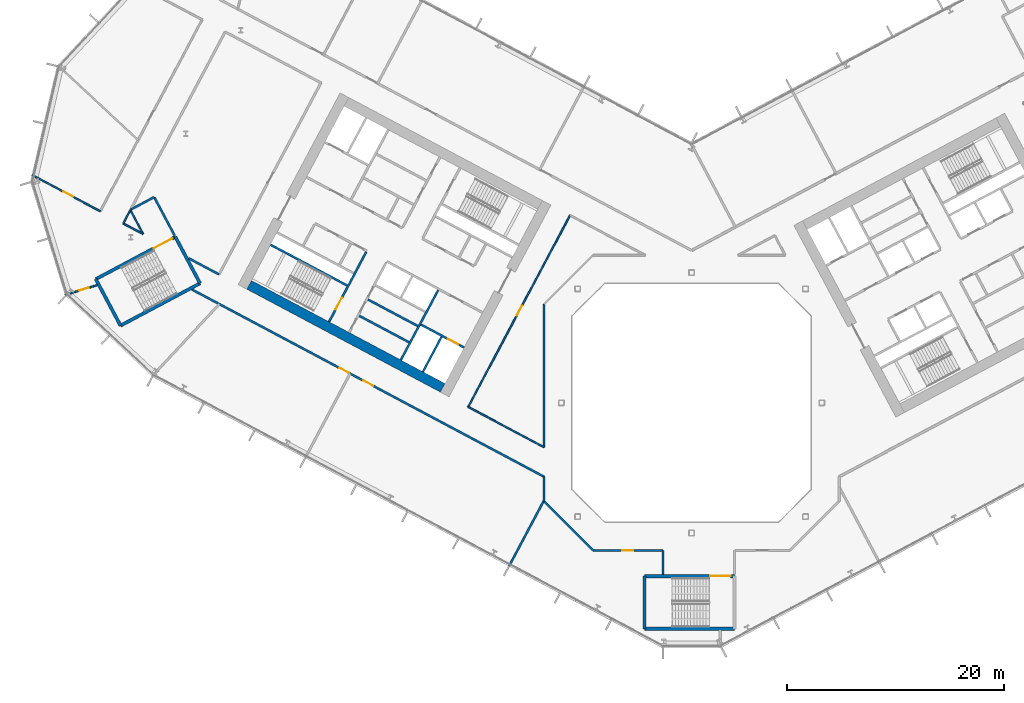
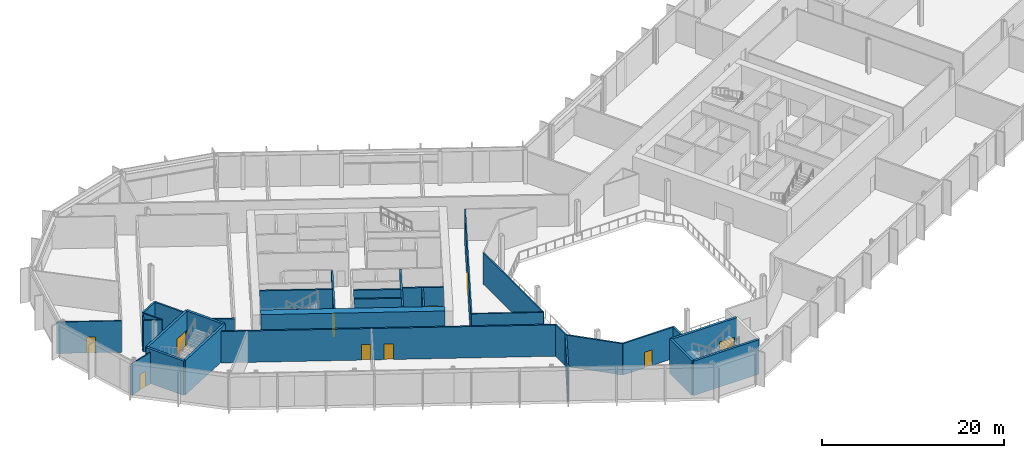
# One storey, part 14 of 32: 32 walls, 10 doors, 10 openings.
"""IFC4 building model written with IfcOpenShell, lengths in metres."""

from ifc_helpers import new_model, si_unit, direction, frame, frame_2d, origin, place, context, subcontext, project, spatial, rectangle, extrude, material, layer, layer_set, type_object, element, fill, save


model = new_model("IFC4")

# Units and contexts
model_context = context("Model", 3, precision=1e-05, world=origin(), true_north=direction((0.0, 1.0)))
body_context = subcontext(model_context, "Body", "Model", "MODEL_VIEW")
ifc_project = project(units=[si_unit("LENGTHUNIT", "METRE"), si_unit("AREAUNIT", "SQUARE_METRE"), si_unit("VOLUMEUNIT", "CUBIC_METRE"), si_unit("PLANEANGLEUNIT", "RADIAN"), si_unit("MASSUNIT", "GRAM", prefix="KILO")], contexts=[model_context])

# Site, building, storey
site_placement = place(None, origin())
site = spatial("IfcSite", under=ifc_project, at=site_placement, CompositionType="ELEMENT")
building_placement = place(site_placement, origin())
building = spatial("IfcBuilding", under=site, at=building_placement, Name="Cormorant Relay Tower", CompositionType="ELEMENT")
storey_placement = place(building_placement, frame((0.0, 0.0, 66.199951171875)))
storey = spatial("IfcBuildingStorey", under=building, at=storey_placement, Name="L12", CompositionType="ELEMENT", Elevation=66.199951171875)

# Walls
ifc_material_1 = material(Name="Concrete 40 MPa", Category="concrete")
ifc_layer_1 = layer(ifc_material_1, 0.199951171875)
ifc_layer_set_1 = layer_set([ifc_layer_1], Name="Core internal wall 200")
wall_type_1 = type_object("IfcWallType", Name="Core internal wall 200", PredefinedType="SOLIDWALL", material=ifc_layer_set_1)
for number, where, z_axis, x_axis, name in (
    (1, (-25.232421875, 7.073974609375, 0.0), (0.0, 0.0, 1.0), (-0.882953967957, 0.469459572775, 0.0), "L12 core A shaft and room wall"),
    (2, (-26.030517578125, 5.572998046875, 0.0), (0.0, 0.0, 1.0), (-0.882953967957, 0.469459572775, 0.0), "L12 core A shaft and room wall"),
):
    element("IfcWall", number, at=place(storey_placement, frame(where, z_axis=z_axis, x_axis=x_axis)), inside=storey, type_object=wall_type_1, Name=name, PredefinedType="SOLIDWALL", context=body_context, shape_type="SweptSolid", body=[
        extrude(rectangle(XDim=5.199951171875, YDim=0.199951171875, at=frame_2d((2.60009765625, 0.0))), origin(), (0.0, 0.0, 1.0), 4.60009765625),
    ])
ifc_material_2 = material(Name="Concrete 50 MPa", Category="concrete")
ifc_layer_2 = layer(ifc_material_2, 0.199951171875)
ifc_layer_set_2 = layer_set([ifc_layer_2], Name="Core shaft wall 200")
wall_type_2 = type_object("IfcWallType", Name="Core shaft wall 200", PredefinedType="SHEAR", material=ifc_layer_set_2)
wall_1_placement = place(storey_placement, frame((-23.04296875, 6.07958984375, 0.0), z_axis=(0.0, 0.0, 1.0), x_axis=(-0.469494272526, -0.882935517501, 0.0)))
element("IfcWall", 3, at=wall_1_placement, inside=storey, type_object=wall_type_2, Name="L12 core A shaft wall", PredefinedType="SHEAR", context=body_context, shape_type="SweptSolid", body=[
    extrude(rectangle(XDim=3.64990234375, YDim=0.199951171875, at=frame_2d((1.824951171875, 0.0))), origin(), (0.0, 0.0, 1.0), 4.60009765625),
])
wall_2_placement = place(storey_placement, frame((-23.360107421875, 10.38232421875, 0.0), z_axis=(0.0, 0.0, 1.0), x_axis=(-0.469480409012, -0.88294288918, 0.0)))
element("IfcWall", 4, at=wall_2_placement, inside=storey, type_object=wall_type_2, Name="L12 core A shaft wall", PredefinedType="SHEAR", context=body_context, shape_type="SweptSolid", body=[
    extrude(rectangle(XDim=7.300048828125, YDim=0.199951171875, at=frame_2d((3.64990234375, 0.0))), origin(), (0.0, 0.0, 1.0), 4.60009765625),
])

# Wall, opening, door
wall_3_placement = place(storey_placement, frame((-29.982421875, 13.9033203125, 0.0), z_axis=(0.0, 0.0, 1.0), x_axis=(-0.469454336211, -0.882956752176, 0.0)))
wall_3 = element("IfcWall", 5, at=wall_3_placement, inside=storey, type_object=wall_type_2, Name="L12 core A shaft wall", PredefinedType="SHEAR", context=body_context, shape_type="SweptSolid", body=[
    extrude(rectangle(XDim=7.300048828125, YDim=0.199951171875, at=frame_2d((3.64990234375, 0.0))), origin(), (0.0, 0.0, 1.0), 4.60009765625),
])
opening_1_placement = place(wall_3_placement, frame((4.800048828125, 0.0, 0.0)))
opening_1 = element("IfcOpeningElement", 6, at=opening_1_placement, cuts=wall_3, Name="Opening CDB-025", PredefinedType="OPENING", context=body_context, shape_type="SweptSolid", body=[
    extrude(rectangle(XDim=1.199951171875, YDim=2.10009765625, at=frame_2d((0.60009765625, 1.050048828125))), frame((0.0, 0.10986328125, 0.0), z_axis=(0.0, -1.0, 0.0), x_axis=(1.0, 0.0, 0.0)), (0.0, 0.0, 1.0), 0.219970703125),
])
ifc_material_3 = material(Name="Steel fire door", Category="steel")
door_type_1 = type_object("IfcDoorType", Name="Core stair door 1200x2100", OperationType="SINGLE_SWING_LEFT", PredefinedType="DOOR", material=ifc_material_3)
door_1_placement = place(opening_1_placement, frame((1.199951171875, 0.0, 0.0), z_axis=(0.0, 0.0, 1.0), x_axis=(-1.0, 0.0, 0.0)))
door_1 = element("IfcDoor", 7, at=door_1_placement, inside=storey, type_object=door_type_1, Name="Core stair door 1200x2100", OperationType="SINGLE_SWING_RIGHT", OverallHeight=2.10009765625, OverallWidth=1.199951171875, PredefinedType="DOOR", context=body_context, shape_type="SweptSolid", body=[
    extrude(rectangle(XDim=1.199951171875, YDim=2.10009765625, at=frame_2d((0.60009765625, 1.050048828125))), frame((0.0, 0.02490234375, 0.0), z_axis=(0.0, -1.0, 0.0), x_axis=(1.0, 0.0, 0.0)), (0.0, 0.0, 1.0), 0.050048828125),
])
fill(opening_1, door_1)

wall_4_placement = place(storey_placement, frame((-20.96533203125, 5.088134765625, 0.0), z_axis=(0.0, 0.0, 1.0), x_axis=(-0.882925986334, 0.469512196493, 0.0)))
wall_4 = element("IfcWall", 8, at=wall_4_placement, inside=storey, type_object=wall_type_2, Name="L12 core A shaft wall", PredefinedType="SHEAR", context=body_context, shape_type="SweptSolid", body=[
    extrude(rectangle(XDim=4.5, YDim=0.199951171875, at=frame_2d((2.25, 0.0))), origin(), (0.0, 0.0, 1.0), 4.60009765625),
])
opening_2_placement = place(wall_4_placement, frame((0.60009765625, 0.0, 0.0)))
opening_2 = element("IfcOpeningElement", 9, at=opening_2_placement, cuts=wall_4, Name="Opening LD1-027", PredefinedType="OPENING", context=body_context, shape_type="SweptSolid", body=[
    extrude(rectangle(XDim=1.10009765625, YDim=2.10009765625, at=frame_2d((0.550048828125, 1.050048828125))), frame((0.0, 0.10986328125, 0.0), z_axis=(0.0, -1.0, 0.0), x_axis=(1.0, 0.0, 0.0)), (0.0, 0.0, 1.0), 0.219970703125),
])
ifc_material_4 = material(Name="Stainless steel 316", Category="steel")
door_type_2 = type_object("IfcDoorType", Name="Lift landing door 1100x2100", OperationType="DOUBLE_DOOR_SLIDING", PredefinedType="DOOR", material=ifc_material_4)
door_2_placement = place(opening_2_placement, origin())
door_2 = element("IfcDoor", 10, at=door_2_placement, inside=storey, type_object=door_type_2, Name="FF1 landing door", OperationType="DOUBLE_DOOR_SLIDING", OverallHeight=2.10009765625, OverallWidth=1.10009765625, PredefinedType="DOOR", context=body_context, shape_type="SweptSolid", body=[
    extrude(rectangle(XDim=1.10009765625, YDim=2.10009765625, at=frame_2d((0.550048828125, 1.050048828125))), frame((0.0, 0.02490234375, 0.0), z_axis=(0.0, -1.0, 0.0), x_axis=(1.0, 0.0, 0.0)), (0.0, 0.0, 1.0), 0.050048828125),
])
fill(opening_2, door_2)

# Walls
wall_5_placement = place(storey_placement, frame((-31.7373046875, 10.815673828125, 0.0), z_axis=(0.0, 0.0, 1.0), x_axis=(-0.882940221191, 0.469485426614, 0.0)))
element("IfcWall", 11, at=wall_5_placement, inside=storey, type_object=wall_type_2, Name="L12 core A shaft wall", PredefinedType="SHEAR", context=body_context, shape_type="SweptSolid", body=[
    extrude(rectangle(XDim=8.0, YDim=0.199951171875, at=frame_2d((4.0, 0.0))), origin(), (0.0, 0.0, 1.0), 4.60009765625),
])
ifc_material_5 = material(Name="Concrete 70 MPa", Category="concrete")
ifc_layer_3 = layer(ifc_material_5, 0.89990234375)
ifc_layer_set_3 = layer_set([ifc_layer_3], Name="Core wall 900")
wall_type_3 = type_object("IfcWallType", Name="Core wall 900", PredefinedType="SHEAR", material=ifc_layer_set_3)
wall_6_placement = place(storey_placement, frame((-22.93701171875, 1.3798828125, 0.0), z_axis=(0.0, 0.0, 1.0), x_axis=(-0.88295276571, 0.46946183394, 0.0)))
element("IfcWall", 12, at=wall_6_placement, inside=storey, type_object=wall_type_3, Name="L12 core A wall", PredefinedType="SHEAR", context=body_context, shape_type="SweptSolid", body=[
    extrude(rectangle(XDim=20.199951171875, YDim=0.89990234375, at=frame_2d((10.10009765625, 0.0))), origin(), (0.0, 0.0, 1.0), 4.60009765625),
])
ifc_material_6 = material(Name="Fire-rated gypsum board partition")
ifc_layer_4 = layer(ifc_material_6, 0.199951171875)
ifc_layer_set_4 = layer_set([ifc_layer_4], Name="Fire-rated gypsum partition 200")
wall_type_4 = type_object("IfcWallType", Name="Fire-rated gypsum partition 200", PredefinedType="PARTITIONING", material=ifc_layer_set_4)
wall_7_placement = place(storey_placement, frame((-47.63720703125, 15.40869140625, 0.0), z_axis=(0.0, 0.0, 1.0), x_axis=(-0.469590790968, 0.882884187783, 0.0)))
element("IfcWall", 13, at=wall_7_placement, inside=storey, type_object=wall_type_4, Name="wall/L12/part/10", PredefinedType="PARTITIONING", context=body_context, shape_type="SweptSolid", body=[
    extrude(rectangle(XDim=4.015625, YDim=0.199951171875, at=frame_2d((2.0078125, 0.0))), origin(), (0.0, 0.0, 1.0), 4.199951171875),
])
wall_8_placement = place(storey_placement, frame((-49.52294921875, 18.9541015625, 0.0), z_axis=(0.0, 0.0, 1.0), x_axis=(-0.882767334528, -0.469810422501, 0.0)))
element("IfcWall", 14, at=wall_8_placement, inside=storey, type_object=wall_type_4, Name="wall/L12/part/11", PredefinedType="PARTITIONING", context=body_context, shape_type="SweptSolid", body=[
    extrude(rectangle(XDim=2.460693359375, YDim=0.199951171875, at=frame_2d((1.23046875, 0.0))), origin(), (0.0, 0.0, 1.0), 4.199951171875),
])
wall_9_placement = place(storey_placement, frame((-43.5439453125, 11.826904296875, 0.0), z_axis=(0.0, 0.0, 1.0), x_axis=(-0.88289413979, 0.469572079584, 0.0)))
element("IfcWall", 15, at=wall_9_placement, inside=storey, type_object=wall_type_4, Name="wall/L12/part/15", PredefinedType="PARTITIONING", context=body_context, shape_type="SweptSolid", body=[
    extrude(rectangle(XDim=3.16845703125, YDim=0.199951171875, at=frame_2d((1.584228515625, 0.0))), origin(), (0.0, 0.0, 1.0), 4.199951171875),
])
wall_10_placement = place(storey_placement, frame((-13.60009765625, -9.076904296875, 0.0), z_axis=(0.0, 0.0, 1.0), x_axis=(0.0, 1.0, 0.0)))
element("IfcWall", 16, at=wall_10_placement, inside=storey, type_object=wall_type_4, Name="wall/L12/part/16", PredefinedType="PARTITIONING", context=body_context, shape_type="SweptSolid", body=[
    extrude(rectangle(XDim=2.263916015625, YDim=0.199951171875, at=frame_2d((1.1318359375, 0.0))), origin(), (0.0, 0.0, 1.0), 4.199951171875),
])

# Wall, openings, doors
wall_11_placement = place(storey_placement, frame((-13.60009765625, -6.81298828125, 0.0), z_axis=(0.0, 0.0, 1.0), x_axis=(-0.882934546757, 0.469496098113, 0.0)))
wall_11 = element("IfcWall", 17, at=wall_11_placement, inside=storey, type_object=wall_type_4, Name="wall/L12/part/17", PredefinedType="PARTITIONING", context=body_context, shape_type="SweptSolid", body=[
    extrude(rectangle(XDim=36.757568359375, YDim=0.199951171875, at=frame_2d((18.37890625, 0.0))), origin(), (0.0, 0.0, 1.0), 4.199951171875),
])
opening_3_placement = place(wall_11_placement, frame((20.35009765625, 0.0, 0.0)))
opening_3 = element("IfcOpeningElement", 18, at=opening_3_placement, cuts=wall_11, Name="Opening FD1-081", PredefinedType="OPENING", context=body_context, shape_type="SweptSolid", body=[
    extrude(rectangle(XDim=1.0, YDim=2.10009765625, at=frame_2d((0.5, 1.050048828125))), frame((0.0, 0.10986328125, 0.0), z_axis=(0.0, -1.0, 0.0), x_axis=(1.0, 0.0, 0.0)), (0.0, 0.0, 1.0), 0.219970703125),
])
opening_4_placement = place(wall_11_placement, frame((17.85009765625, 0.0, 0.0)))
opening_4 = element("IfcOpeningElement", 19, at=opening_4_placement, cuts=wall_11, Name="Opening FD1-082", PredefinedType="OPENING", context=body_context, shape_type="SweptSolid", body=[
    extrude(rectangle(XDim=1.0, YDim=2.10009765625, at=frame_2d((0.5, 1.050048828125))), frame((0.0, 0.10986328125, 0.0), z_axis=(0.0, -1.0, 0.0), x_axis=(1.0, 0.0, 0.0)), (0.0, 0.0, 1.0), 0.219970703125),
])
ifc_material_7 = material(Name="Fire-rated steel door", Category="steel")
door_type_3 = type_object("IfcDoorType", Name="Fire door 1000 x 2100", OperationType="SINGLE_SWING_LEFT", PredefinedType="DOOR", material=ifc_material_7)
door_3_placement = place(opening_3_placement, origin())
door_3 = element("IfcDoor", 20, at=door_3_placement, inside=storey, type_object=door_type_3, Name="door/L12/18", OperationType="SINGLE_SWING_LEFT", OverallHeight=2.10009765625, OverallWidth=1.0, PredefinedType="DOOR", context=body_context, shape_type="SweptSolid", body=[
    extrude(rectangle(XDim=1.0, YDim=2.10009765625, at=frame_2d((0.5, 1.050048828125))), frame((0.0, 0.02490234375, 0.0), z_axis=(0.0, -1.0, 0.0), x_axis=(1.0, 0.0, 0.0)), (0.0, 0.0, 1.0), 0.050048828125),
])
fill(opening_3, door_3)
door_4_placement = place(opening_4_placement, origin())
door_4 = element("IfcDoor", 21, at=door_4_placement, inside=storey, type_object=door_type_3, Name="door/L12/19", OperationType="SINGLE_SWING_RIGHT", OverallHeight=2.10009765625, OverallWidth=1.0, PredefinedType="DOOR", context=body_context, shape_type="SweptSolid", body=[
    extrude(rectangle(XDim=1.0, YDim=2.10009765625, at=frame_2d((0.5, 1.050048828125))), frame((0.0, 0.02490234375, 0.0), z_axis=(0.0, -1.0, 0.0), x_axis=(1.0, 0.0, 0.0)), (0.0, 0.0, 1.0), 0.050048828125),
])
fill(opening_4, door_4)

# Walls
wall_12_placement = place(storey_placement, frame((-13.60009765625, -8.998046875, 0.0), z_axis=(0.0, 0.0, 1.0), x_axis=(-0.469531053644, -0.882915958438, 0.0)))
element("IfcWall", 22, at=wall_12_placement, inside=storey, type_object=wall_type_4, Name="wall/L12/part/20", PredefinedType="PARTITIONING", context=body_context, shape_type="SweptSolid", body=[
    extrude(rectangle(XDim=6.870361328125, YDim=0.199951171875, at=frame_2d((3.43505859375, 0.0))), origin(), (0.0, 0.0, 1.0), 4.199951171875),
])
wall_13_placement = place(storey_placement, frame((-13.60009765625, -9.076904296875, 0.0), z_axis=(0.0, 0.0, 1.0), x_axis=(0.707106781187, -0.707106781187, 0.0)))
element("IfcWall", 23, at=wall_13_placement, inside=storey, type_object=wall_type_4, Name="wall/L12/part/23", PredefinedType="PARTITIONING", context=body_context, shape_type="SweptSolid", body=[
    extrude(rectangle(XDim=6.396728515625, YDim=0.199951171875, at=frame_2d((3.1982421875, 0.0))), origin(), (0.0, 0.0, 1.0), 4.199951171875),
])
wall_14_placement = place(storey_placement, frame((-2.64892578125, -15.840087890625, 0.0), z_axis=(0.0, 0.0, 1.0), x_axis=(0.0, 1.0, 0.0)))
element("IfcWall", 24, at=wall_14_placement, inside=storey, type_object=wall_type_4, Name="wall/L12/part/25", PredefinedType="PARTITIONING", context=body_context, shape_type="SweptSolid", body=[
    extrude(rectangle(XDim=2.239990234375, YDim=0.199951171875, at=frame_2d((1.1201171875, 0.0))), origin(), (0.0, 0.0, 1.0), 4.199951171875),
])

# Wall, opening, door
wall_15_placement = place(storey_placement, frame((-2.64892578125, -13.60009765625, 0.0), z_axis=(0.0, 0.0, 1.0), x_axis=(-1.0, 0.0, 0.0)))
wall_15 = element("IfcWall", 25, at=wall_15_placement, inside=storey, type_object=wall_type_4, Name="wall/L12/part/26", PredefinedType="PARTITIONING", context=body_context, shape_type="SweptSolid", body=[
    extrude(rectangle(XDim=6.427978515625, YDim=0.199951171875, at=frame_2d((3.2138671875, 0.0))), origin(), (0.0, 0.0, 1.0), 4.199951171875),
])
opening_5_placement = place(wall_15_placement, frame((2.75, 0.0, 0.0)))
opening_5 = element("IfcOpeningElement", 26, at=opening_5_placement, cuts=wall_15, Name="Opening FD1-083", PredefinedType="OPENING", context=body_context, shape_type="SweptSolid", body=[
    extrude(rectangle(XDim=1.0, YDim=2.10009765625, at=frame_2d((0.5, 1.050048828125))), frame((0.0, 0.10986328125, 0.0), z_axis=(0.0, -1.0, 0.0), x_axis=(1.0, 0.0, 0.0)), (0.0, 0.0, 1.0), 0.219970703125),
])
door_5_placement = place(opening_5_placement, origin())
door_5 = element("IfcDoor", 27, at=door_5_placement, inside=storey, type_object=door_type_3, Name="door/L12/20", OperationType="SINGLE_SWING_LEFT", OverallHeight=2.10009765625, OverallWidth=1.0, PredefinedType="DOOR", context=body_context, shape_type="SweptSolid", body=[
    extrude(rectangle(XDim=1.0, YDim=2.10009765625, at=frame_2d((0.5, 1.050048828125))), frame((0.0, 0.02490234375, 0.0), z_axis=(0.0, -1.0, 0.0), x_axis=(1.0, 0.0, 0.0)), (0.0, 0.0, 1.0), 0.050048828125),
])
fill(opening_5, door_5)

ifc_material_8 = material(Name="Gypsum board partition")
ifc_layer_5 = layer(ifc_material_8, 0.14990234375)
ifc_layer_set_5 = layer_set([ifc_layer_5], Name="Gypsum board partition 150")
wall_type_5 = type_object("IfcWallType", Name="Gypsum board partition 150", PredefinedType="PARTITIONING", material=ifc_layer_set_5)
wall_16_placement = place(storey_placement, frame((-54.492919921875, 17.64892578125, 0.0), z_axis=(0.0, 0.0, 1.0), x_axis=(-0.882938254124, 0.469489125971, 0.0)))
wall_16 = element("IfcWall", 28, at=wall_16_placement, inside=storey, type_object=wall_type_5, Name="wall/L12/part/4", PredefinedType="PARTITIONING", context=body_context, shape_type="SweptSolid", body=[
    extrude(rectangle(XDim=7.127197265625, YDim=0.14990234375, at=frame_2d((3.5634765625, 0.0))), origin(), (0.0, 0.0, 1.0), 4.199951171875),
])
opening_6_placement = place(wall_16_placement, frame((2.85009765625, 0.0, 0.0)))
opening_6 = element("IfcOpeningElement", 29, at=opening_6_placement, cuts=wall_16, Name="Opening D1-029", PredefinedType="OPENING", context=body_context, shape_type="SweptSolid", body=[
    extrude(rectangle(XDim=1.0, YDim=2.10009765625, at=frame_2d((0.5, 1.050048828125))), frame((0.0, 0.0849609375, 0.0), z_axis=(0.0, -1.0, 0.0), x_axis=(1.0, 0.0, 0.0)), (0.0, 0.0, 1.0), 0.169921875),
])
ifc_material_9 = material(Name="Painted steel door", Category="steel")
door_type_4 = type_object("IfcDoorType", Name="Single door 1000 x 2100", OperationType="SINGLE_SWING_LEFT", PredefinedType="DOOR", material=ifc_material_9)
door_6_placement = place(opening_6_placement, frame((1.0, 0.0, 0.0), z_axis=(0.0, 0.0, 1.0), x_axis=(-1.0, 0.0, 0.0)))
door_6 = element("IfcDoor", 30, at=door_6_placement, inside=storey, type_object=door_type_4, Name="door/L12/2", OperationType="SINGLE_SWING_RIGHT", OverallHeight=2.10009765625, OverallWidth=1.0, PredefinedType="DOOR", context=body_context, shape_type="SweptSolid", body=[
    extrude(rectangle(XDim=1.0, YDim=2.10009765625, at=frame_2d((0.5, 1.050048828125))), frame((0.0, 0.02490234375, 0.0), z_axis=(0.0, -1.0, 0.0), x_axis=(1.0, 0.0, 0.0)), (0.0, 0.0, 1.0), 0.050048828125),
])
fill(opening_6, door_6)

wall_17_placement = place(storey_placement, frame((-54.7607421875, 10.847900390625, 0.0), z_axis=(0.0, 0.0, 1.0), x_axis=(-0.956301064033, -0.29238378021, 0.0)))
wall_17 = element("IfcWall", 31, at=wall_17_placement, inside=storey, type_object=wall_type_5, Name="wall/L12/part/5", PredefinedType="PARTITIONING", context=body_context, shape_type="SweptSolid", body=[
    extrude(rectangle(XDim=3.115478515625, YDim=0.14990234375, at=frame_2d((1.5576171875, 0.0))), origin(), (0.0, 0.0, 1.0), 4.199951171875),
])
opening_7_placement = place(wall_17_placement, frame((0.820068359375, 0.0, 0.0)))
opening_7 = element("IfcOpeningElement", 32, at=opening_7_placement, cuts=wall_17, Name="Opening D2-012", PredefinedType="OPENING", context=body_context, shape_type="SweptSolid", body=[
    extrude(rectangle(XDim=0.949951171875, YDim=2.10009765625, at=frame_2d((0.47509765625, 1.050048828125))), frame((0.0, 0.0849609375, 0.0), z_axis=(0.0, -1.0, 0.0), x_axis=(1.0, 0.0, 0.0)), (0.0, 0.0, 1.0), 0.169921875),
])
ifc_material_10 = material(Name="Timber door", Category="wood")
door_type_5 = type_object("IfcDoorType", Name="Toilet door 950 x 2100", OperationType="SINGLE_SWING_LEFT", PredefinedType="DOOR", material=ifc_material_10)
door_7_placement = place(opening_7_placement, origin())
door_7 = element("IfcDoor", 33, at=door_7_placement, inside=storey, type_object=door_type_5, Name="door/L12/17", OperationType="SINGLE_SWING_RIGHT", OverallHeight=2.10009765625, OverallWidth=0.949951171875, PredefinedType="DOOR", context=body_context, shape_type="SweptSolid", body=[
    extrude(rectangle(XDim=0.949951171875, YDim=2.10009765625, at=frame_2d((0.47509765625, 1.050048828125))), frame((0.0, 0.02490234375, 0.0), z_axis=(0.0, -1.0, 0.0), x_axis=(1.0, 0.0, 0.0)), (0.0, 0.0, 1.0), 0.050048828125),
])
fill(opening_7, door_7)

# Walls
wall_18_placement = place(storey_placement, frame((-51.717041015625, 17.757080078125, 0.0), z_axis=(0.0, 0.0, 1.0), x_axis=(-0.469618761384, -0.882869310236, 0.0)))
element("IfcWall", 34, at=wall_18_placement, inside=storey, type_object=wall_type_5, Name="wall/L12/part/52", PredefinedType="PARTITIONING", context=body_context, shape_type="SweptSolid", body=[
    extrude(rectangle(XDim=1.39892578125, YDim=0.14990234375, at=frame_2d((0.699462890625, 0.0))), origin(), (0.0, 0.0, 1.0), 4.199951171875),
])
wall_19_placement = place(storey_placement, frame((-52.3740234375, 16.52197265625, 0.0), z_axis=(0.0, 0.0, 1.0), x_axis=(0.882981472085, -0.469407839682, 0.0)))
element("IfcWall", 35, at=wall_19_placement, inside=storey, type_object=wall_type_5, Name="wall/L12/part/53", PredefinedType="PARTITIONING", context=body_context, shape_type="SweptSolid", body=[
    extrude(rectangle(XDim=2.072509765625, YDim=0.14990234375, at=frame_2d((1.0361328125, 0.0))), origin(), (0.0, 0.0, 1.0), 4.199951171875),
])
wall_20_placement = place(storey_placement, frame((-50.5439453125, 15.549072265625, 0.0), z_axis=(0.0, 0.0, 1.0), x_axis=(-0.469183782948, 0.883100547967, 0.0)))
element("IfcWall", 36, at=wall_20_placement, inside=storey, type_object=wall_type_5, Name="wall/L12/part/54", PredefinedType="PARTITIONING", context=body_context, shape_type="SweptSolid", body=[
    extrude(rectangle(XDim=2.500244140625, YDim=0.14990234375, at=frame_2d((1.25, 0.0))), origin(), (0.0, 0.0, 1.0), 4.199951171875),
])

# Wall, opening, door
wall_21_placement = place(storey_placement, frame((-20.587890625, -0.37890625, 0.0), z_axis=(0.0, 0.0, 1.0), x_axis=(0.469489882812, 0.882937851685, 0.0)))
wall_21 = element("IfcWall", 37, at=wall_21_placement, inside=storey, type_object=wall_type_5, Name="wall/L12/part/55", PredefinedType="PARTITIONING", context=body_context, shape_type="SweptSolid", body=[
    extrude(rectangle(XDim=20.000244140625, YDim=0.14990234375, at=frame_2d((10.0, 0.0))), origin(), (0.0, 0.0, 1.0), 4.199951171875),
])
opening_8_placement = place(wall_21_placement, frame((9.550048828125, 0.0, 0.0)))
opening_8 = element("IfcOpeningElement", 38, at=opening_8_placement, cuts=wall_21, Name="Opening D1-031", PredefinedType="OPENING", context=body_context, shape_type="SweptSolid", body=[
    extrude(rectangle(XDim=1.0, YDim=2.10009765625, at=frame_2d((0.5, 1.050048828125))), frame((0.0, 0.0849609375, 0.0), z_axis=(0.0, -1.0, 0.0), x_axis=(1.0, 0.0, 0.0)), (0.0, 0.0, 1.0), 0.169921875),
])
door_8_placement = place(opening_8_placement, frame((1.0, 0.0, 0.0), z_axis=(0.0, 0.0, 1.0), x_axis=(-1.0, 0.0, 0.0)))
door_8 = element("IfcDoor", 39, at=door_8_placement, inside=storey, type_object=door_type_4, Name="door/L12/4", OperationType="SINGLE_SWING_LEFT", OverallHeight=2.10009765625, OverallWidth=1.0, PredefinedType="DOOR", context=body_context, shape_type="SweptSolid", body=[
    extrude(rectangle(XDim=1.0, YDim=2.10009765625, at=frame_2d((0.5, 1.050048828125))), frame((0.0, 0.02490234375, 0.0), z_axis=(0.0, -1.0, 0.0), x_axis=(1.0, 0.0, 0.0)), (0.0, 0.0, 1.0), 0.050048828125),
])
fill(opening_8, door_8)

# Walls
wall_22_placement = place(storey_placement, frame((-13.60009765625, 9.076904296875, 0.0), z_axis=(0.0, 0.0, 1.0), x_axis=(0.0, -1.0, 0.0)))
element("IfcWall", 40, at=wall_22_placement, inside=storey, type_object=wall_type_5, Name="wall/L12/part/59", PredefinedType="PARTITIONING", context=body_context, shape_type="SweptSolid", body=[
    extrude(rectangle(XDim=13.1708984375, YDim=0.14990234375, at=frame_2d((6.58544921875, 0.0))), origin(), (0.0, 0.0, 1.0), 4.199951171875),
])
wall_23_placement = place(storey_placement, frame((-13.60009765625, -4.093994140625, 0.0), z_axis=(0.0, 0.0, 1.0), x_axis=(-0.882967890474, 0.469433386533, 0.0)))
element("IfcWall", 41, at=wall_23_placement, inside=storey, type_object=wall_type_5, Name="wall/L12/part/60", PredefinedType="PARTITIONING", context=body_context, shape_type="SweptSolid", body=[
    extrude(rectangle(XDim=7.9140625, YDim=0.14990234375, at=frame_2d((3.95703125, 0.0))), origin(), (0.0, 0.0, 1.0), 4.199951171875),
])
ifc_material_11 = material(Name="Concrete 50 MPa", Category="concrete")
ifc_layer_6 = layer(ifc_material_11, 0.300048828125)
ifc_layer_set_6 = layer_set([ifc_layer_6], Name="Remote stair wall 300")
wall_type_6 = type_object("IfcWallType", Name="Remote stair wall 300", PredefinedType="SHEAR", material=ifc_layer_set_6)
wall_24_placement = place(storey_placement, frame((3.949951171875, -20.824951171875, 0.0), z_axis=(0.0, 0.0, 1.0), x_axis=(-1.0, 0.0, 0.0)))
element("IfcWall", 42, at=wall_24_placement, inside=storey, type_object=wall_type_6, Name="L12 exit stair RK1 wall", PredefinedType="SHEAR", context=body_context, shape_type="SweptSolid", body=[
    extrude(rectangle(XDim=8.300048828125, YDim=0.300048828125, at=frame_2d((4.14990234375, 0.0))), origin(), (0.0, 0.0, 1.0), 4.60009765625),
])
wall_25_placement = place(storey_placement, frame((-4.35009765625, -20.824951171875, 0.0), z_axis=(0.0, 0.0, 1.0), x_axis=(0.0, 1.0, 0.0)))
element("IfcWall", 43, at=wall_25_placement, inside=storey, type_object=wall_type_6, Name="L12 exit stair RK1 wall", PredefinedType="SHEAR", context=body_context, shape_type="SweptSolid", body=[
    extrude(rectangle(XDim=4.849853515625, YDim=0.300048828125, at=frame_2d((2.4248046875, 0.0))), origin(), (0.0, 0.0, 1.0), 4.60009765625),
])

# Wall, opening, door
wall_26_placement = place(storey_placement, frame((-4.35009765625, -15.97509765625, 0.0), z_axis=(0.0, 0.0, 1.0), x_axis=(1.0, 0.0, 0.0)))
wall_26 = element("IfcWall", 44, at=wall_26_placement, inside=storey, type_object=wall_type_6, Name="L12 exit stair RK1 wall", PredefinedType="SHEAR", context=body_context, shape_type="SweptSolid", body=[
    extrude(rectangle(XDim=8.300048828125, YDim=0.300048828125, at=frame_2d((4.14990234375, 0.0))), origin(), (0.0, 0.0, 1.0), 4.60009765625),
])
opening_9_placement = place(wall_26_placement, frame((6.050048828125, 0.0, 0.0)))
opening_9 = element("IfcOpeningElement", 45, at=opening_9_placement, cuts=wall_26, Name="Opening CDE-008", PredefinedType="OPENING", context=body_context, shape_type="SweptSolid", body=[
    extrude(rectangle(XDim=1.89990234375, YDim=2.10009765625, at=frame_2d((0.949951171875, 1.050048828125))), frame((0.0, 0.159912109375, 0.0), z_axis=(0.0, -1.0, 0.0), x_axis=(1.0, 0.0, 0.0)), (0.0, 0.0, 1.0), 0.320068359375),
])
ifc_material_12 = material(Name="Steel fire door", Category="steel")
door_type_6 = type_object("IfcDoorType", Name="Remote stair door 1900x2100", OperationType="DOUBLE_DOOR_SINGLE_SWING", PredefinedType="DOOR", material=ifc_material_12)
door_9_placement = place(opening_9_placement, frame((1.89990234375, 0.0, 0.0), z_axis=(0.0, 0.0, 1.0), x_axis=(-1.0, 0.0, 0.0)))
door_9 = element("IfcDoor", 46, at=door_9_placement, inside=storey, type_object=door_type_6, Name="Exit stair RK1 door", OperationType="DOUBLE_DOOR_SINGLE_SWING", OverallHeight=2.10009765625, OverallWidth=1.89990234375, PredefinedType="DOOR", context=body_context, shape_type="SweptSolid", body=[
    extrude(rectangle(XDim=1.89990234375, YDim=2.10009765625, at=frame_2d((0.949951171875, 1.050048828125))), frame((0.0, 0.02490234375, 0.0), z_axis=(0.0, -1.0, 0.0), x_axis=(1.0, 0.0, 0.0)), (0.0, 0.0, 1.0), 0.050048828125),
])
fill(opening_9, door_9)

# Walls
wall_27_placement = place(storey_placement, frame((-47.57421875, 15.28955078125, 0.0), z_axis=(0.0, 0.0, 1.0), x_axis=(0.469443498566, -0.882962514297, 0.0)))
element("IfcWall", 47, at=wall_27_placement, inside=storey, type_object=wall_type_6, Name="L12 exit stair RP1 wall", PredefinedType="SHEAR", context=body_context, shape_type="SweptSolid", body=[
    extrude(rectangle(XDim=4.85009765625, YDim=0.300048828125, at=frame_2d((2.425048828125, 0.0))), origin(), (0.0, 0.0, 1.0), 4.60009765625),
])
wall_28_placement = place(storey_placement, frame((-45.29736328125, 11.007080078125, 0.0), z_axis=(0.0, 0.0, 1.0), x_axis=(-0.882951519127, -0.469464178475, 0.0)))
element("IfcWall", 48, at=wall_28_placement, inside=storey, type_object=wall_type_6, Name="L12 exit stair RP1 wall", PredefinedType="SHEAR", context=body_context, shape_type="SweptSolid", body=[
    extrude(rectangle(XDim=8.2998046875, YDim=0.300048828125, at=frame_2d((4.14990234375, 0.0))), origin(), (0.0, 0.0, 1.0), 4.60009765625),
])
wall_29_placement = place(storey_placement, frame((-52.625732421875, 7.110595703125, 0.0), z_axis=(0.0, 0.0, 1.0), x_axis=(-0.469464364128, 0.882951420416, 0.0)))
element("IfcWall", 49, at=wall_29_placement, inside=storey, type_object=wall_type_6, Name="L12 exit stair RP1 wall", PredefinedType="SHEAR", context=body_context, shape_type="SweptSolid", body=[
    extrude(rectangle(XDim=4.849853515625, YDim=0.300048828125, at=frame_2d((2.4248046875, 0.0))), origin(), (0.0, 0.0, 1.0), 4.60009765625),
])

# Wall, opening, door
wall_30_placement = place(storey_placement, frame((-54.902587890625, 11.392822265625, 0.0), z_axis=(0.0, 0.0, 1.0), x_axis=(0.882939326045, 0.469487110071, 0.0)))
wall_30 = element("IfcWall", 50, at=wall_30_placement, inside=storey, type_object=wall_type_6, Name="L12 exit stair RP1 wall", PredefinedType="SHEAR", context=body_context, shape_type="SweptSolid", body=[
    extrude(rectangle(XDim=8.300048828125, YDim=0.300048828125, at=frame_2d((4.14990234375, 0.0))), origin(), (0.0, 0.0, 1.0), 4.60009765625),
])
opening_10_placement = place(wall_30_placement, frame((6.050048828125, 0.0, 0.0)))
opening_10 = element("IfcOpeningElement", 51, at=opening_10_placement, cuts=wall_30, Name="Opening CDE-009", PredefinedType="OPENING", context=body_context, shape_type="SweptSolid", body=[
    extrude(rectangle(XDim=1.89990234375, YDim=2.10009765625, at=frame_2d((0.949951171875, 1.050048828125))), frame((0.0, 0.159912109375, 0.0), z_axis=(0.0, -1.0, 0.0), x_axis=(1.0, 0.0, 0.0)), (0.0, 0.0, 1.0), 0.320068359375),
])
door_10_placement = place(opening_10_placement, frame((1.89990234375, 0.0, 0.0), z_axis=(0.0, 0.0, 1.0), x_axis=(-1.0, 0.0, 0.0)))
door_10 = element("IfcDoor", 52, at=door_10_placement, inside=storey, type_object=door_type_6, Name="Exit stair RP1 door", OperationType="DOUBLE_DOOR_SINGLE_SWING", OverallHeight=2.10009765625, OverallWidth=1.89990234375, PredefinedType="DOOR", context=body_context, shape_type="SweptSolid", body=[
    extrude(rectangle(XDim=1.89990234375, YDim=2.10009765625, at=frame_2d((0.949951171875, 1.050048828125))), frame((0.0, 0.02490234375, 0.0), z_axis=(0.0, -1.0, 0.0), x_axis=(1.0, 0.0, 0.0)), (0.0, 0.0, 1.0), 0.050048828125),
])
fill(opening_10, door_10)

save(model, "model.ifc")
